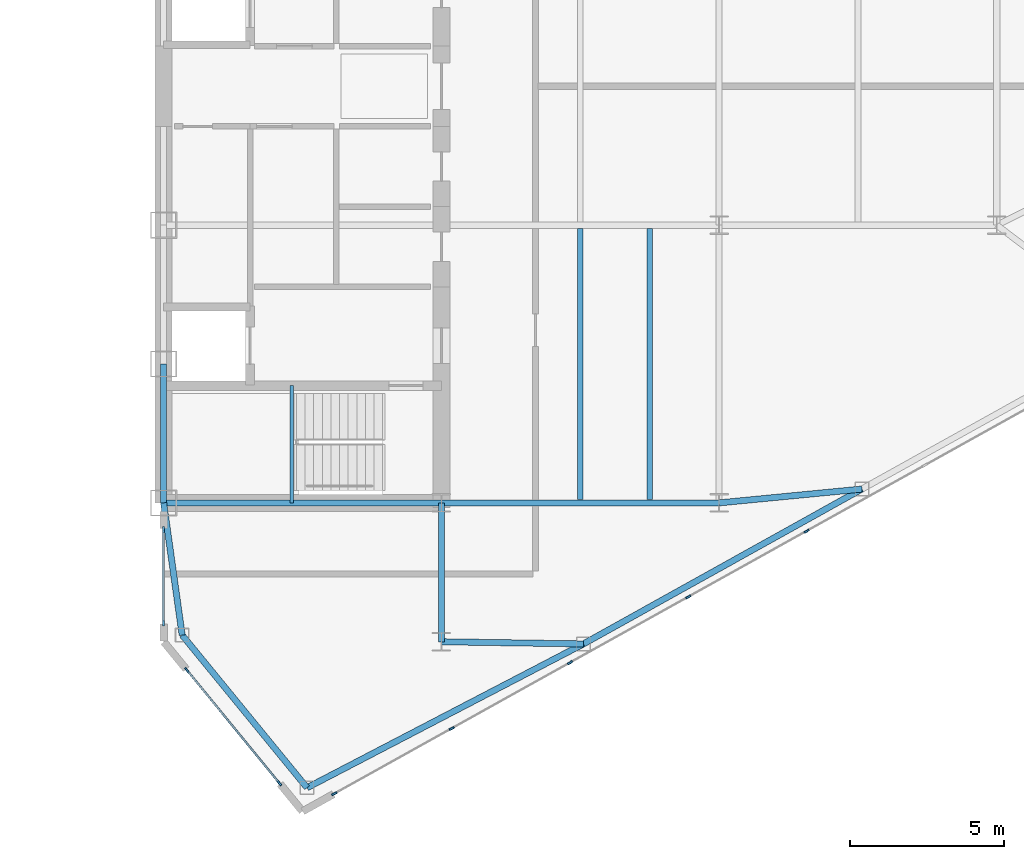
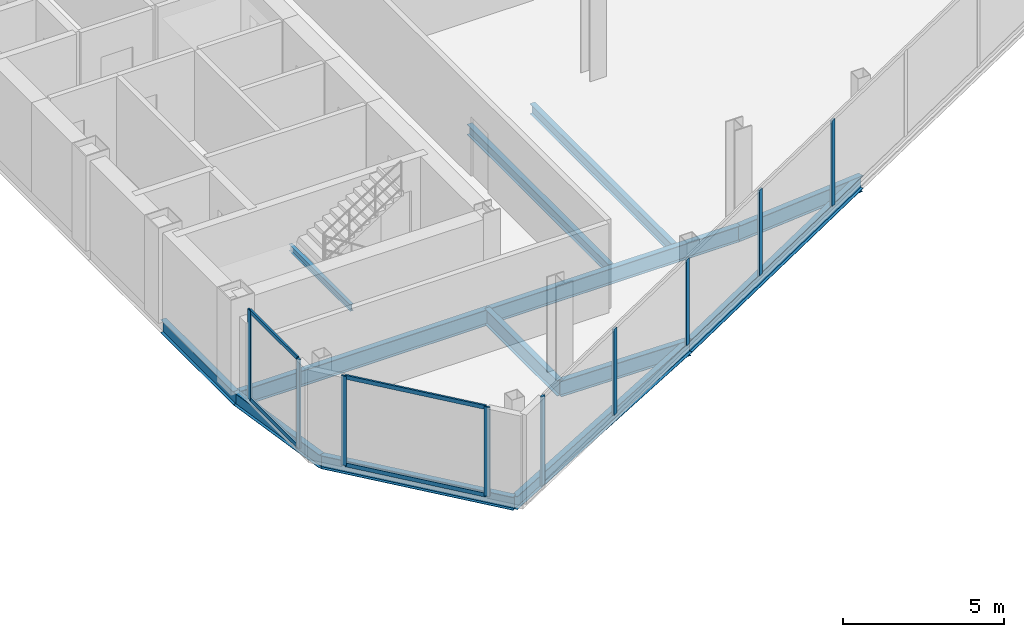
# One storey, part 11 of 26: 13 beams, 13 members, 3 elements without a shape of their own.
"""IFC4 building model written with IfcOpenShell, lengths in metres."""

from ifc_helpers import new_model, si_unit, direction, frame, origin, origin_2d, place, context, subcontext, project, spatial, rectangle, i_section, extrude, source, transform, mapped, material, layer, layer_set, material_profile, profile_set, type_object, type_shapes, element, aggregate, save


model = new_model("IFC4")

# Units and contexts
model_context = context("Model", 3, precision=1e-05, world=origin(), true_north=direction((0.0, 1.0)))
body_context = subcontext(model_context, "Body", "Model", "MODEL_VIEW")
ifc_project = project(units=[si_unit("LENGTHUNIT", "METRE"), si_unit("AREAUNIT", "SQUARE_METRE"), si_unit("VOLUMEUNIT", "CUBIC_METRE"), si_unit("PLANEANGLEUNIT", "RADIAN"), si_unit("MASSUNIT", "GRAM", prefix="KILO")], contexts=[model_context])

# Site, building, storey
site_placement = place(None, origin())
site = spatial("IfcSite", under=ifc_project, at=site_placement, CompositionType="ELEMENT")
building_placement = place(site_placement, origin())
building = spatial("IfcBuilding", under=site, at=building_placement, Name="Seokmaru Belvedere", CompositionType="ELEMENT")
storey_placement = place(building_placement, frame((0.0, 0.0, 177.89990234375)))
storey = spatial("IfcBuildingStorey", under=building, at=storey_placement, Name="L47", CompositionType="ELEMENT", Elevation=177.89990234375)

# Beams
ifc_material_1 = material(Name="Steel SM355 (355 MPa)", Category="steel")
ifc_material_profile_1 = material_profile(ifc_material_1, i_section(OverallWidth=0.199951171875, OverallDepth=0.5, WebThickness=0.010009765625, FlangeThickness=0.01611328125, at=origin_2d()), Name="H-500x200x10x16")
ifc_profile_set_1 = profile_set([ifc_material_profile_1], Name="Steel SM355 (355 MPa)")
beam_type_1 = type_object("IfcBeamType", Name="Perimeter Spandrel Beam H-500", PredefinedType="SPANDREL", material=ifc_profile_set_1)
shared_shape_1 = source(origin(), body_context, "Body", "SweptSolid", [
    extrude(i_section(OverallWidth=0.199951171875, OverallDepth=0.5, WebThickness=0.010009765625, FlangeThickness=0.01611328125, at=origin_2d()), origin(), (0.0, 0.0, 1.0), 4.5),
])
beam_1_placement = place(storey_placement, frame((27.5, -13.5, -0.469970703125), z_axis=(0.0, 1.0, 0.0), x_axis=(-1.0, 0.0, 0.0)))
element("IfcBeam", 1, at=beam_1_placement, inside=storey, type_object=beam_type_1, Name="L47 E Portal Spine Spandrel 1", PredefinedType="SPANDREL", context=body_context, shape_type="MappedRepresentation", body=[
    mapped(shared_shape_1, transform((0.0, 0.0, 0.0), scale=1.0)),
])
ifc_material_profile_2 = material_profile(ifc_material_1, i_section(OverallWidth=0.199951171875, OverallDepth=0.60009765625, WebThickness=0.010986328125, FlangeThickness=0.01708984375, at=origin_2d()), Name="H-600x200x11x17")
ifc_profile_set_2 = profile_set([ifc_material_profile_2], Name="Steel SM355 (355 MPa)")
beam_type_2 = type_object("IfcBeamType", Name="Primary Floor Girder H-600", PredefinedType="BEAM", material=ifc_profile_set_2)
shared_shape_2 = source(origin(), body_context, "Body", "SweptSolid", [
    extrude(i_section(OverallWidth=0.199951171875, OverallDepth=0.60009765625, WebThickness=0.010986328125, FlangeThickness=0.01708984375, at=origin_2d()), origin(), (0.0, 0.0, 1.0), 9.0),
])
for number, where, z_axis, x_axis, name in (
    (2, (27.5, -13.5, -0.52001953125), (1.0, 0.0, 0.0), (0.0, 1.0, 0.0), "L47 E Core Tie Girder 1"),
    (3, (36.5, -13.5, -0.52001953125), (1.0, 0.0, 0.0), (0.0, 1.0, 0.0), "L47 E Wing Primary Girder 1"),
):
    element("IfcBeam", number, at=place(storey_placement, frame(where, z_axis=z_axis, x_axis=x_axis)), inside=storey, type_object=beam_type_2, Name=name, PredefinedType="BEAM", context=body_context, shape_type="MappedRepresentation", body=[
        mapped(shared_shape_2, transform((0.0, 0.0, 0.0), scale=1.0)),
    ])
ifc_material_profile_3 = material_profile(ifc_material_1, i_section(OverallWidth=0.18505859375, OverallDepth=0.389892578125, WebThickness=0.008056640625, FlangeThickness=0.011962890625, at=origin_2d()), Name="H-390x185x8x12")
ifc_profile_set_3 = profile_set([ifc_material_profile_3], Name="Steel SM355 (355 MPa)")
beam_type_3 = type_object("IfcBeamType", Name="Secondary Floor Joist H-350", PredefinedType="JOIST", material=ifc_profile_set_3)
shared_shape_3 = source(origin(), body_context, "Body", "SweptSolid", [
    extrude(i_section(OverallWidth=0.18505859375, OverallDepth=0.389892578125, WebThickness=0.008056640625, FlangeThickness=0.011962890625, at=origin_2d()), origin(), (0.0, 0.0, 1.0), 8.7900390625),
])
type_shapes(beam_type_3, [shared_shape_3])
for number, where, z_axis, x_axis, name in (
    (4, (43.25, -13.39501953125, -0.414794921875), (0.0, 1.0, 0.0), (-1.0, 0.0, 0.0), "L47 E Wing Inner Secondary Joist 1"),
    (5, (41.0, -13.39501953125, -0.414794921875), (0.0, 1.0, 0.0), (-1.0, 0.0, 0.0), "L47 E Secondary Floor Joist 1"),
):
    element("IfcBeam", number, at=place(storey_placement, frame(where, z_axis=z_axis, x_axis=x_axis)), inside=storey, type_object=beam_type_3, Name=name, PredefinedType="JOIST", context=body_context, shape_type="MappedRepresentation", body=[
        mapped(shared_shape_3, transform((0.0, 0.0, 0.0), scale=1.0)),
    ])
shared_shape_4 = source(origin(), body_context, "Body", "SweptSolid", [
    extrude(i_section(OverallWidth=0.199951171875, OverallDepth=0.60009765625, WebThickness=0.010986328125, FlangeThickness=0.01708984375, at=origin_2d()), origin(), (0.0, 0.0, 1.0), 4.5),
])
beam_2_placement = place(storey_placement, frame((36.5, -18.0, -0.52001953125), z_axis=(0.0, 1.0, 0.0), x_axis=(-1.0, 0.0, 0.0)))
element("IfcBeam", 6, at=beam_2_placement, inside=storey, type_object=beam_type_2, Name="L47 E Core Shoulder Girder S", PredefinedType="BEAM", context=body_context, shape_type="MappedRepresentation", body=[
    mapped(shared_shape_4, transform((0.0, 0.0, 0.0), scale=1.0)),
])
shared_shape_5 = source(origin(), body_context, "Body", "SweptSolid", [
    extrude(i_section(OverallWidth=0.199951171875, OverallDepth=0.5, WebThickness=0.010009765625, FlangeThickness=0.01611328125, at=origin_2d()), origin(), (0.0, 0.0, 1.0), 10.09716796875),
])
beam_3_placement = place(storey_placement, frame((32.146728515625, -22.731689453125, -0.469970703125), z_axis=(0.887085728914, 0.461604711369, 0.0), x_axis=(-0.461604711369, 0.887085728914, 0.0)))
element("IfcBeam", 7, at=beam_3_placement, inside=storey, type_object=beam_type_1, Name="L47 E Faceted Flank Spandrel S-1", PredefinedType="SPANDREL", context=body_context, shape_type="MappedRepresentation", body=[
    mapped(shared_shape_5, transform((0.0, 0.0, 0.0), scale=1.0)),
])
shared_shape_6 = source(origin(), body_context, "Body", "SweptSolid", [
    extrude(i_section(OverallWidth=0.199951171875, OverallDepth=0.5, WebThickness=0.010009765625, FlangeThickness=0.01611328125, at=origin_2d()), origin(), (0.0, 0.0, 1.0), 10.327392578125),
])
beam_4_placement = place(storey_placement, frame((41.103759765625, -18.07080078125, -0.469970703125), z_axis=(0.873924120588, 0.486062374037, 0.0), x_axis=(-0.486062374037, 0.873924120588, 0.0)))
element("IfcBeam", 8, at=beam_4_placement, inside=storey, type_object=beam_type_1, Name="L47 E Faceted Flank Spandrel S-2", PredefinedType="SPANDREL", context=body_context, shape_type="MappedRepresentation", body=[
    mapped(shared_shape_6, transform((0.0, 0.0, 0.0), scale=1.0)),
])
shared_shape_7 = source(origin(), body_context, "Body", "SweptSolid", [
    extrude(i_section(OverallWidth=0.199951171875, OverallDepth=0.5, WebThickness=0.010009765625, FlangeThickness=0.01611328125, at=origin_2d()), origin(), (0.0, 0.0, 1.0), 6.390380859375),
])
beam_5_placement = place(storey_placement, frame((32.146728515625, -22.731689453125, -0.469970703125), z_axis=(-0.63324403161, 0.7739521926, 0.0), x_axis=(-0.7739521926, -0.63324403161, 0.0)))
element("IfcBeam", 9, at=beam_5_placement, inside=storey, type_object=beam_type_1, Name="L47 E Shoulder Chamfer Spandrel S", PredefinedType="SPANDREL", context=body_context, shape_type="MappedRepresentation", body=[
    mapped(shared_shape_7, transform((0.0, 0.0, 0.0), scale=1.0)),
])
shared_shape_8 = source(origin(), body_context, "Body", "SweptSolid", [
    extrude(i_section(OverallWidth=0.199951171875, OverallDepth=0.5, WebThickness=0.010009765625, FlangeThickness=0.01611328125, at=origin_2d()), origin(), (0.0, 0.0, 1.0), 4.32763671875),
])
type_shapes(beam_type_1, [shared_shape_1, shared_shape_5, shared_shape_6, shared_shape_7, shared_shape_8])
beam_6_placement = place(storey_placement, frame((28.10009765625, -17.785888671875, -0.469970703125), z_axis=(-0.138664443237, 0.990339422714, 0.0), x_axis=(-0.990339422714, -0.138664443237, 0.0)))
element("IfcBeam", 10, at=beam_6_placement, inside=storey, type_object=beam_type_1, Name="L47 E Shoulder Spine Spandrel S", PredefinedType="SPANDREL", context=body_context, shape_type="MappedRepresentation", body=[
    mapped(shared_shape_8, transform((0.0, 0.0, 0.0), scale=1.0)),
])
shared_shape_9 = source(origin(), body_context, "Body", "SweptSolid", [
    extrude(i_section(OverallWidth=0.199951171875, OverallDepth=0.60009765625, WebThickness=0.010986328125, FlangeThickness=0.01708984375, at=origin_2d()), origin(), (0.0, 0.0, 1.0), 4.604248046875),
])
beam_7_placement = place(storey_placement, frame((41.103759765625, -18.07080078125, -0.52001953125), z_axis=(-0.999881765622, 0.01537708607, 0.0), x_axis=(-0.01537708607, -0.999881765622, 0.0)))
element("IfcBeam", 11, at=beam_7_placement, inside=storey, type_object=beam_type_2, Name="L47 E Flank Radial Floor Girder S-1", PredefinedType="BEAM", context=body_context, shape_type="MappedRepresentation", body=[
    mapped(shared_shape_9, transform((0.0, 0.0, 0.0), scale=1.0)),
])
shared_shape_10 = source(origin(), body_context, "Body", "SweptSolid", [
    extrude(i_section(OverallWidth=0.199951171875, OverallDepth=0.60009765625, WebThickness=0.010986328125, FlangeThickness=0.01708984375, at=origin_2d()), origin(), (0.0, 0.0, 1.0), 4.65087890625),
])
type_shapes(beam_type_2, [shared_shape_2, shared_shape_4, shared_shape_9, shared_shape_10])
beam_8_placement = place(storey_placement, frame((50.129150390625, -13.051025390625, -0.52001953125), z_axis=(-0.995329534874, -0.09653557379, 0.0), x_axis=(0.09653557379, -0.995329534874, 0.0)))
element("IfcBeam", 12, at=beam_8_placement, inside=storey, type_object=beam_type_2, Name="L47 E Flank Radial Floor Girder S-2", PredefinedType="BEAM", context=body_context, shape_type="MappedRepresentation", body=[
    mapped(shared_shape_10, transform((0.0, 0.0, 0.0), scale=1.0)),
])

# Curtain wall, members
ifc_material_2 = material(Name="Bronze Triple Insulating Glass", Category="glass")
ifc_layer = layer(ifc_material_2, 0.179931640625)
ifc_layer_set = layer_set([ifc_layer], Name="Bronze Triple Insulating Glass")
curtain_wall_type = type_object("IfcCurtainWallType", Name="High-Rise Wind-Corner Curtain Wall System CW-5", PredefinedType="NOTDEFINED", material=ifc_layer_set)
curtain_wall_1_placement = place(storey_placement, origin())
curtain_wall_1 = element("IfcCurtainWall", 13, at=curtain_wall_1_placement, inside=storey, type_object=curtain_wall_type, Name="L47 Curtain Wall ESP_1", PredefinedType="NOTDEFINED")
ifc_material_3 = material(Name="Anodised Bronze Aluminium", Category="aluminium")
ifc_material_profile_4 = material_profile(ifc_material_3, rectangle(XDim=0.06494140625, YDim=0.14990234375, at=origin_2d()), Name="CW-T-65x150")
ifc_profile_set_4 = profile_set([ifc_material_profile_4], Name="Anodised Bronze Aluminium")
member_type_1 = type_object("IfcMemberType", Name="Bronze Unitised Transom 65x150", PredefinedType="USERDEFINED", material=ifc_profile_set_4)
shared_shape_11 = source(origin(), body_context, "Body", "SweptSolid", [
    extrude(rectangle(XDim=0.06494140625, YDim=0.14990234375, at=origin_2d()), origin(), (0.0, 0.0, 1.0), 2.969970703125),
])
member_1_placement = place(storey_placement, frame((27.5, -14.39501953125, 0.03271484375), z_axis=(0.0, -1.0, 0.0), x_axis=(1.0, 0.0, 0.0)))
member_1 = element("IfcMember", 14, at=member_1_placement, type_object=member_type_1, Name="CW:L47:ESP_1 Continuous Transom 1", ObjectType="TRANSOM", PredefinedType="USERDEFINED", context=body_context, shape_type="MappedRepresentation", body=[
    mapped(shared_shape_11, transform((0.0, 0.0, 0.0), scale=1.0)),
])
member_2_placement = place(storey_placement, frame((27.5, -14.39501953125, 3.34765625), z_axis=(0.0, -1.0, 0.0), x_axis=(1.0, 0.0, 0.0)))
member_2 = element("IfcMember", 15, at=member_2_placement, type_object=member_type_1, Name="CW:L47:ESP_1 Continuous Transom 2", ObjectType="TRANSOM", PredefinedType="USERDEFINED", context=body_context, shape_type="MappedRepresentation", body=[
    mapped(shared_shape_11, transform((0.0, 0.0, 0.0), scale=1.0)),
])

curtain_wall_2_placement = place(storey_placement, origin())
curtain_wall_2 = element("IfcCurtainWall", 16, at=curtain_wall_2_placement, inside=storey, type_object=curtain_wall_type, Name="L47 Curtain Wall EF6", PredefinedType="NOTDEFINED")
shared_shape_12 = source(origin(), body_context, "Body", "SweptSolid", [
    extrude(rectangle(XDim=0.06494140625, YDim=0.14990234375, at=origin_2d()), origin(), (0.0, 0.0, 1.0), 4.67626953125),
])
type_shapes(member_type_1, [shared_shape_11, shared_shape_12])
member_3_placement = place(storey_placement, frame((28.269287109375, -18.9404296875, 0.03271484375), z_axis=(0.633277591216, -0.773924733074, 0.0), x_axis=(0.773924733074, 0.633277591216, 0.0)))
member_3 = element("IfcMember", 17, at=member_3_placement, type_object=member_type_1, Name="CW:L47:EF6 Continuous Transom 1", ObjectType="TRANSOM", PredefinedType="USERDEFINED", context=body_context, shape_type="MappedRepresentation", body=[
    mapped(shared_shape_12, transform((0.0, 0.0, 0.0), scale=1.0)),
])
member_4_placement = place(storey_placement, frame((28.269287109375, -18.9404296875, 3.34765625), z_axis=(0.633277591216, -0.773924733074, 0.0), x_axis=(0.773924733074, 0.633277591216, 0.0)))
member_4 = element("IfcMember", 18, at=member_4_placement, type_object=member_type_1, Name="CW:L47:EF6 Continuous Transom 2", ObjectType="TRANSOM", PredefinedType="USERDEFINED", context=body_context, shape_type="MappedRepresentation", body=[
    mapped(shared_shape_12, transform((0.0, 0.0, 0.0), scale=1.0)),
])

curtain_wall_3_placement = place(storey_placement, origin())
curtain_wall_3 = element("IfcCurtainWall", 19, at=curtain_wall_3_placement, inside=storey, type_object=curtain_wall_type, Name="L47 Curtain Wall EF1", PredefinedType="NOTDEFINED")
ifc_material_profile_5 = material_profile(ifc_material_3, rectangle(XDim=0.06494140625, YDim=0.179931640625, at=origin_2d()), Name="CW-M-65x180")
ifc_profile_set_5 = profile_set([ifc_material_profile_5], Name="Anodised Bronze Aluminium")
member_type_2 = type_object("IfcMemberType", Name="Bronze Unitised Mullion 65x180", PredefinedType="MULLION", material=ifc_profile_set_5)
shared_shape_13 = source(origin(), body_context, "Body", "SweptSolid", [
    extrude(rectangle(XDim=0.06494140625, YDim=0.179931640625, at=origin_2d()), origin(), (0.0, 0.0, 1.0), 3.25),
])
member_5_placement = place(storey_placement, frame((36.837158203125, -20.809814453125, 0.065185546875), z_axis=(0.0, 0.0, 1.0), x_axis=(-0.486047125147, 0.873932601598, 0.0)))
member_5 = element("IfcMember", 20, at=member_5_placement, type_object=member_type_2, Name="CW:L47:EF1 Mullion 2", PredefinedType="MULLION", context=body_context, shape_type="MappedRepresentation", body=[
    mapped(shared_shape_13, transform((0.0, 0.0, 0.0), scale=1.0)),
])
member_6_placement = place(storey_placement, frame((40.66943359375, -18.67822265625, 0.065185546875), z_axis=(0.0, 0.0, 1.0), x_axis=(-0.486047125147, 0.873932601598, 0.0)))
member_6 = element("IfcMember", 21, at=member_6_placement, type_object=member_type_2, Name="CW:L47:EF1 Mullion 3", PredefinedType="MULLION", context=body_context, shape_type="MappedRepresentation", body=[
    mapped(shared_shape_13, transform((0.0, 0.0, 0.0), scale=1.0)),
])
member_7_placement = place(storey_placement, frame((44.501708984375, -16.547119140625, 0.065185546875), z_axis=(0.0, 0.0, 1.0), x_axis=(-0.486047125147, 0.873932601598, 0.0)))
member_7 = element("IfcMember", 22, at=member_7_placement, type_object=member_type_2, Name="CW:L47:EF1 Mullion 4", PredefinedType="MULLION", context=body_context, shape_type="MappedRepresentation", body=[
    mapped(shared_shape_13, transform((0.0, 0.0, 0.0), scale=1.0)),
])
member_8_placement = place(storey_placement, frame((48.333984375, -14.415771484375, 0.065185546875), z_axis=(0.0, 0.0, 1.0), x_axis=(-0.486047125147, 0.873932601598, 0.0)))
member_8 = element("IfcMember", 23, at=member_8_placement, type_object=member_type_2, Name="CW:L47:EF1 Mullion 5", PredefinedType="MULLION", context=body_context, shape_type="MappedRepresentation", body=[
    mapped(shared_shape_13, transform((0.0, 0.0, 0.0), scale=1.0)),
])
shared_shape_14 = source(origin(), body_context, "Body", "SweptSolid", [
    extrude(rectangle(XDim=0.06494140625, YDim=0.179931640625, at=origin_2d()), origin(), (0.0, 0.0, 1.0), 3.380126953125),
])
type_shapes(member_type_2, [shared_shape_13, shared_shape_14])
member_9_placement = place(storey_placement, frame((33.033447265625, -22.92529296875, 0.0), z_axis=(0.0, 0.0, 1.0), x_axis=(-0.486047125147, 0.873932601598, 0.0)))
member_9 = element("IfcMember", 24, at=member_9_placement, type_object=member_type_2, Name="CW:L47:EF1 Mullion 1", PredefinedType="MULLION", context=body_context, shape_type="MappedRepresentation", body=[
    mapped(shared_shape_14, transform((0.0, 0.0, 0.0), scale=1.0)),
])
aggregate(curtain_wall_3, [member_9, member_5, member_6, member_7, member_8])

# Member
member_10_placement = place(storey_placement, frame((27.5, -14.362548828125, 0.0), z_axis=(0.0, 0.0, 1.0), x_axis=(1.0, 0.0, 0.0)))
member_10 = element("IfcMember", 25, at=member_10_placement, type_object=member_type_2, Name="CW:L47:ESP_1 Mullion 1", PredefinedType="MULLION", context=body_context, shape_type="MappedRepresentation", body=[
    mapped(shared_shape_14, transform((0.0, 0.0, 0.0), scale=1.0)),
])

member_11_placement = place(storey_placement, frame((27.5, -17.3974609375, 0.0), z_axis=(0.0, 0.0, 1.0), x_axis=(1.0, 0.0, 0.0)))
member_11 = element("IfcMember", 26, at=member_11_placement, type_object=member_type_2, Name="CW:L47:ESP_1 Mullion 2", PredefinedType="MULLION", context=body_context, shape_type="MappedRepresentation", body=[
    mapped(shared_shape_14, transform((0.0, 0.0, 0.0), scale=1.0)),
])

aggregate(curtain_wall_1, [member_10, member_11, member_1, member_2])

member_12_placement = place(storey_placement, frame((28.248779296875, -18.915283203125, 0.0), z_axis=(0.0, 0.0, 1.0), x_axis=(0.773944112379, 0.633253907144, 0.0)))
member_12 = element("IfcMember", 27, at=member_12_placement, type_object=member_type_2, Name="CW:L47:EF6 Mullion 1", PredefinedType="MULLION", context=body_context, shape_type="MappedRepresentation", body=[
    mapped(shared_shape_14, transform((0.0, 0.0, 0.0), scale=1.0)),
])

member_13_placement = place(storey_placement, frame((31.251220703125, -22.584716796875, 0.0), z_axis=(0.0, 0.0, 1.0), x_axis=(0.773944112379, 0.633253907144, 0.0)))
member_13 = element("IfcMember", 28, at=member_13_placement, type_object=member_type_2, Name="CW:L47:EF6 Mullion 2", PredefinedType="MULLION", context=body_context, shape_type="MappedRepresentation", body=[
    mapped(shared_shape_14, transform((0.0, 0.0, 0.0), scale=1.0)),
])

aggregate(curtain_wall_2, [member_12, member_13, member_3, member_4])

# Beam
ifc_material_profile_6 = material_profile(ifc_material_1, i_section(OverallWidth=0.125, OverallDepth=0.25, WebThickness=0.006103515625, FlangeThickness=0.009033203125, at=origin_2d()), Name="H-250x125x6x9")
ifc_profile_set_6 = profile_set([ifc_material_profile_6], Name="Steel SM355 (355 MPa)")
beam_type_4 = type_object("IfcBeamType", Name="Stair Mid-Landing Support Beam H-250", PredefinedType="JOIST", material=ifc_profile_set_6)
shared_shape_15 = source(origin(), body_context, "Body", "SweptSolid", [
    extrude(i_section(OverallWidth=0.125, OverallDepth=0.25, WebThickness=0.006103515625, FlangeThickness=0.009033203125, at=origin_2d()), origin(), (0.0, 0.0, 1.0), 3.800048828125),
])
type_shapes(beam_type_4, [shared_shape_15])
beam_9_placement = place(storey_placement, frame((31.64990234375, -13.5, 1.47509765625), z_axis=(0.0, 1.0, 0.0), x_axis=(-1.0, 0.0, 0.0)))
element("IfcBeam", 29, at=beam_9_placement, inside=storey, type_object=beam_type_4, Name="L47 Stair ST-E1 Mid-Landing Support Beam 1", PredefinedType="JOIST", context=body_context, shape_type="MappedRepresentation", body=[
    mapped(shared_shape_15, transform((0.0, 0.0, 0.0), scale=1.0)),
])

save(model, "model.ifc")
